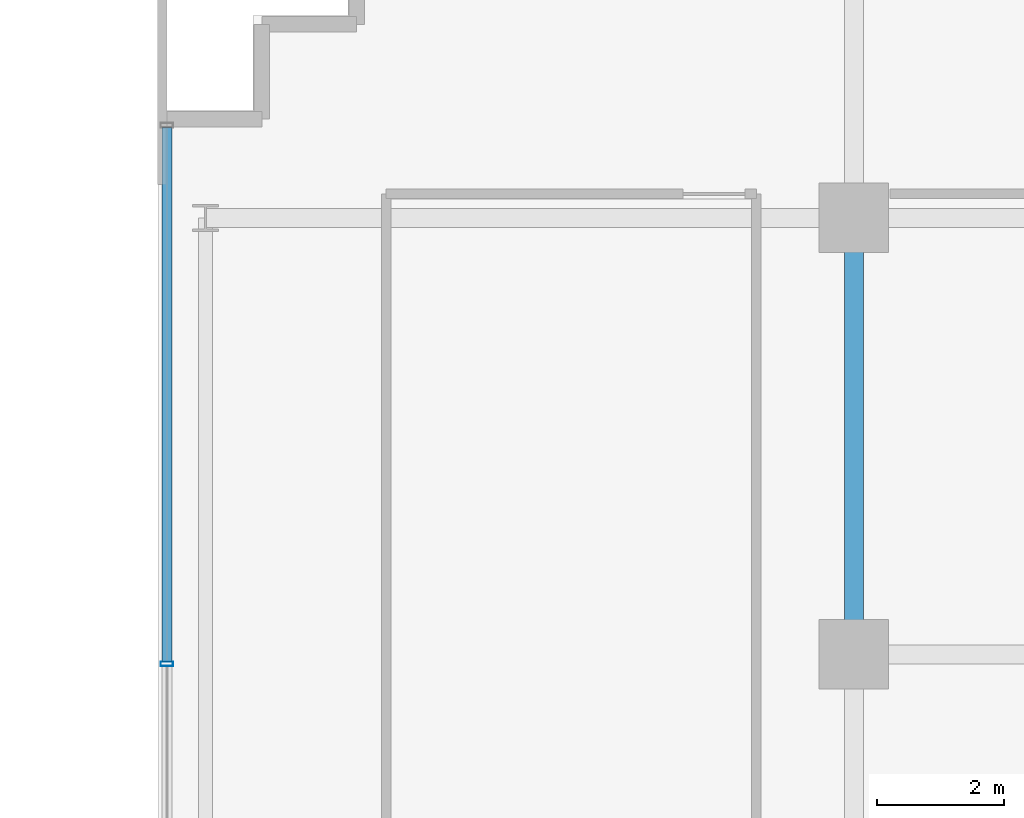
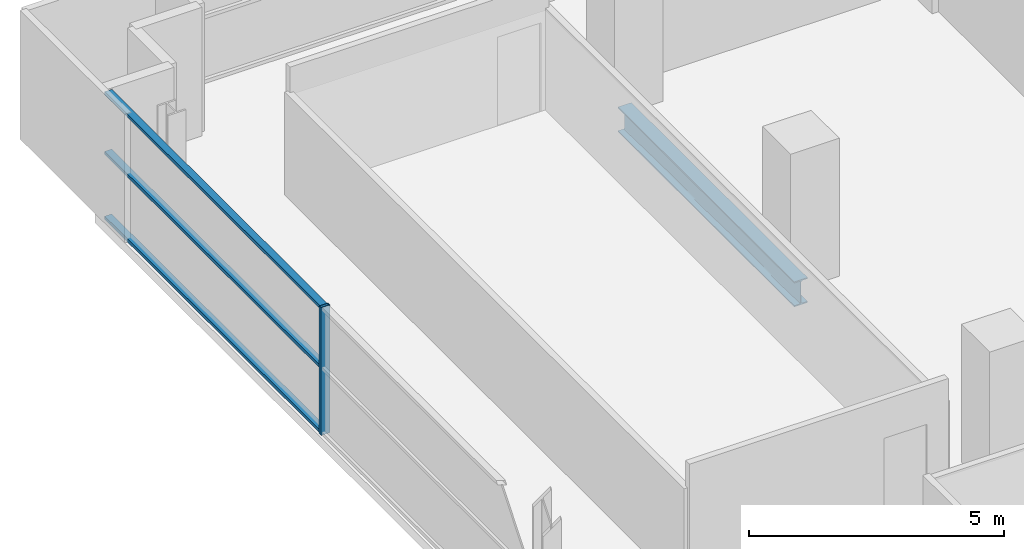
# One storey, part 7 of 31: 4 members, 1 beam, 1 element without a shape of its own.
"""IFC4 building model written with IfcOpenShell, lengths in metres."""

from ifc_helpers import new_model, si_unit, direction, frame, origin, origin_2d, place, context, subcontext, project, spatial, hollow_rectangle, i_section, extrude, source, transform, mapped, material, layer, layer_set, material_profile, profile_set, type_object, element, aggregate, save


model = new_model("IFC4")

# Units and contexts
model_context = context("Model", 3, precision=1e-05, world=origin(), true_north=direction((0.0, 1.0)))
body_context = subcontext(model_context, "Body", "Model", "MODEL_VIEW")
ifc_project = project(units=[si_unit("LENGTHUNIT", "METRE"), si_unit("AREAUNIT", "SQUARE_METRE"), si_unit("VOLUMEUNIT", "CUBIC_METRE"), si_unit("PLANEANGLEUNIT", "RADIAN"), si_unit("MASSUNIT", "GRAM", prefix="KILO")], contexts=[model_context])

# Site, building, storey
site_placement = place(None, origin())
site = spatial("IfcSite", under=ifc_project, at=site_placement, CompositionType="ELEMENT")
building_placement = place(site_placement, origin())
building = spatial("IfcBuilding", under=site, at=building_placement, Name="Zarnakvel Exchange Tower", CompositionType="ELEMENT")
storey_placement = place(building_placement, frame((0.0, 0.0, 47.199951171875)))
storey = spatial("IfcBuildingStorey", under=building, at=storey_placement, Name="L12", CompositionType="ELEMENT", Elevation=47.199951171875)

# Beam
ifc_material_1 = material(Name="Steel S355", Category="steel")
ifc_material_profile_1 = material_profile(ifc_material_1, i_section(OverallWidth=0.300048828125, OverallDepth=0.60009765625, WebThickness=0.015380859375, FlangeThickness=0.030029296875, FilletRadius=0.027099609375, at=origin_2d()))
ifc_profile_set_1 = profile_set([ifc_material_profile_1], Name="Steel S355")
beam_type = type_object("IfcBeamType", Name="G-04", PredefinedType="BEAM", material=ifc_profile_set_1)
beam_placement = place(storey_placement, frame((-21.60009765625, 6.60009765625, -0.52490234375), z_axis=(0.0, 1.0, 0.0), x_axis=(-1.0, 0.0, 0.0)))
element("IfcBeam", 1, at=beam_placement, inside=storey, type_object=beam_type, Name="L12 Tower N-S Frame Beam", PredefinedType="BEAM", context=body_context, shape_type="SweptSolid", body=[
    extrude(i_section(OverallWidth=0.300048828125, OverallDepth=0.60009765625, WebThickness=0.015380859375, FlangeThickness=0.030029296875, FilletRadius=0.027099609375, at=origin_2d()), origin(), (0.0, 0.0, 1.0), 6.89990234375),
])

# Curtain wall, members
ifc_material_2 = material(Name="Architectural Bronze Anodised Aluminium", Category="aluminium")
ifc_layer = layer(ifc_material_2, 0.199951171875)
ifc_layer_set = layer_set([ifc_layer], Name="Architectural Bronze Anodised Aluminium")
curtain_wall_type = type_object("IfcCurtainWallType", Name="CW-04", PredefinedType="NOTDEFINED", material=ifc_layer_set)
curtain_wall_placement = place(storey_placement, origin())
curtain_wall = element("IfcCurtainWall", 2, at=curtain_wall_placement, inside=storey, type_object=curtain_wall_type, Name="L12 Curtain Wall CW-L12-WN (CW-04)", PredefinedType="NOTDEFINED")
ifc_material_profile_2 = material_profile(ifc_material_2, hollow_rectangle(XDim=0.159912109375, YDim=0.074951171875, WallThickness=0.00390625, at=origin_2d()))
ifc_profile_set_2 = profile_set([ifc_material_profile_2], Name="Architectural Bronze Anodised Aluminium")
member_type_1 = type_object("IfcMemberType", Name="CWT-04", PredefinedType="USERDEFINED", material=ifc_profile_set_2)
shared_shape_1 = source(origin(), body_context, "Body", "SweptSolid", [
    extrude(hollow_rectangle(XDim=0.159912109375, YDim=0.074951171875, WallThickness=0.00390625, at=origin_2d()), origin(), (0.0, 0.0, 1.0), 8.4375),
])
member_1_placement = place(storey_placement, frame((-32.4599609375, 6.487548828125, 0.03759765625), z_axis=(0.0, 1.0, 0.0), x_axis=(-1.0, 0.0, 0.0)))
member_1 = element("IfcMember", 3, at=member_1_placement, type_object=member_type_1, Name="CW-04 transom 2.1", ObjectType="TRANSOM", PredefinedType="USERDEFINED", context=body_context, shape_type="MappedRepresentation", body=[
    mapped(shared_shape_1, transform((0.0, 0.0, 0.0), x_axis=(1.0, 0.0, 0.0), y_axis=(0.0, 1.0, 0.0), z_axis=(0.0, 0.0, 1.0), scale=1.0)),
])
member_2_placement = place(storey_placement, frame((-32.4599609375, 6.487548828125, 1.588623046875), z_axis=(0.0, 1.0, 0.0), x_axis=(-1.0, 0.0, 0.0)))
member_2 = element("IfcMember", 4, at=member_2_placement, type_object=member_type_1, Name="CW-04 transom 2.2", ObjectType="TRANSOM", PredefinedType="USERDEFINED", context=body_context, shape_type="MappedRepresentation", body=[
    mapped(shared_shape_1, transform((0.0, 0.0, 0.0), x_axis=(1.0, 0.0, 0.0), y_axis=(0.0, 1.0, 0.0), z_axis=(0.0, 0.0, 1.0), scale=1.0)),
])
member_3_placement = place(storey_placement, frame((-32.4599609375, 6.487548828125, 3.017578125), z_axis=(0.0, 1.0, 0.0), x_axis=(-1.0, 0.0, 0.0)))
member_3 = element("IfcMember", 5, at=member_3_placement, type_object=member_type_1, Name="CW-04 transom 2.3", ObjectType="TRANSOM", PredefinedType="USERDEFINED", context=body_context, shape_type="MappedRepresentation", body=[
    mapped(shared_shape_1, transform((0.0, 0.0, 0.0), x_axis=(1.0, 0.0, 0.0), y_axis=(0.0, 1.0, 0.0), z_axis=(0.0, 0.0, 1.0), scale=1.0)),
])
ifc_material_profile_3 = material_profile(ifc_material_2, hollow_rectangle(XDim=0.199951171875, YDim=0.074951171875, WallThickness=0.0048828125, at=origin_2d()))
ifc_profile_set_3 = profile_set([ifc_material_profile_3], Name="Architectural Bronze Anodised Aluminium")
member_type_2 = type_object("IfcMemberType", Name="CWM-04", PredefinedType="MULLION", material=ifc_profile_set_3)
shared_shape_2 = source(origin(), body_context, "Body", "SweptSolid", [
    extrude(hollow_rectangle(XDim=0.199951171875, YDim=0.074951171875, WallThickness=0.0048828125, at=origin_2d()), origin(), (0.0, 0.0, 1.0), 3.054931640625),
])
member_4_placement = place(storey_placement, frame((-32.4599609375, 6.449951171875, 0.0), z_axis=(0.0, 0.0, 1.0), x_axis=(-1.0, 0.0, 0.0)))
member_4 = element("IfcMember", 6, at=member_4_placement, type_object=member_type_2, Name="CW-04 mullion 2", PredefinedType="MULLION", context=body_context, shape_type="MappedRepresentation", body=[
    mapped(shared_shape_2, transform((0.0, 0.0, 0.0), x_axis=(1.0, 0.0, 0.0), y_axis=(0.0, 1.0, 0.0), z_axis=(0.0, 0.0, 1.0), scale=1.0)),
])
aggregate(curtain_wall, [member_4, member_1, member_2, member_3])

save(model, "model.ifc")
